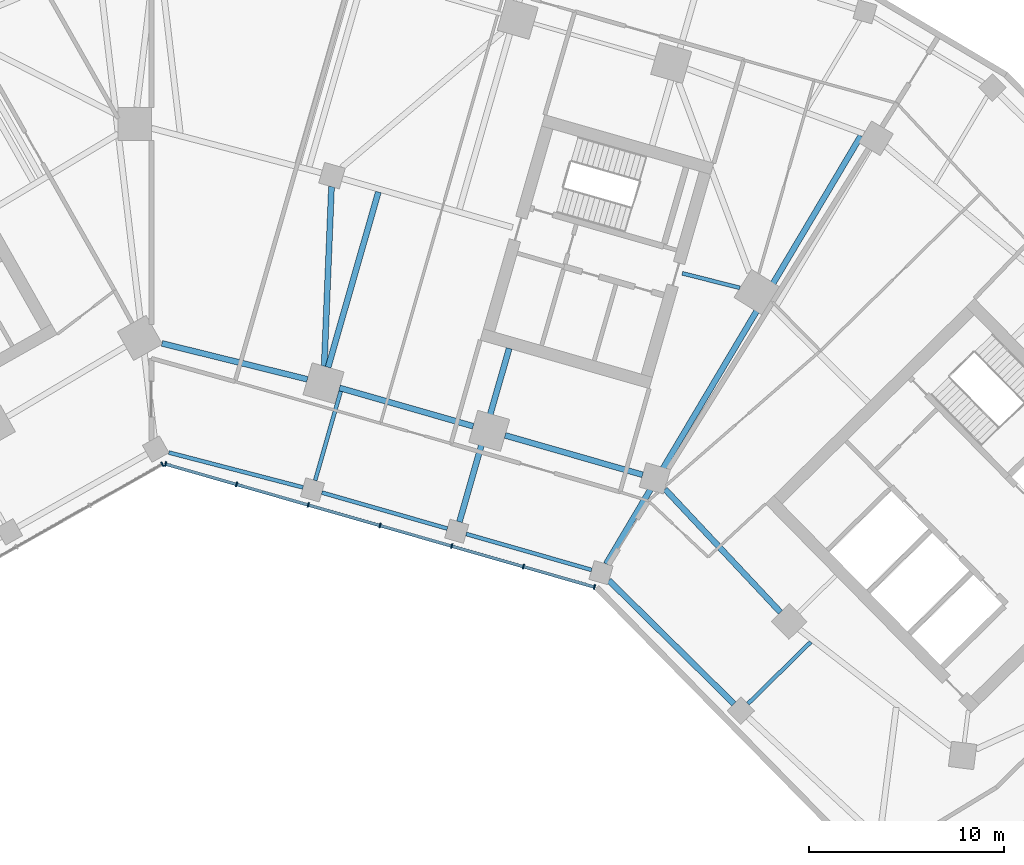
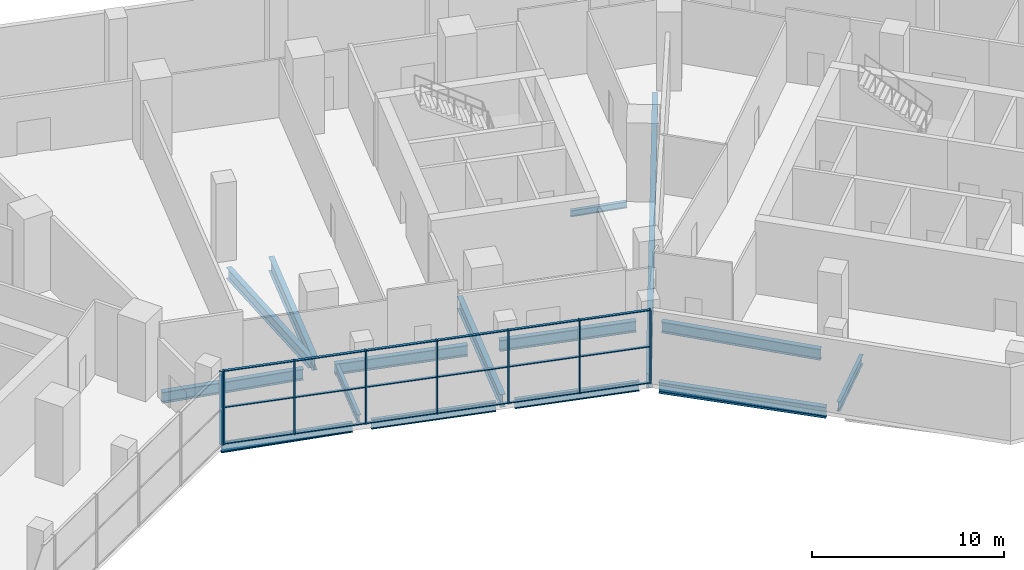
# One storey, part 5 of 15: 26 members, 15 beams, 2 elements without a shape of their own.
"""IFC4 building model written with IfcOpenShell, lengths in metres."""

from ifc_helpers import new_model, si_unit, direction, frame, origin, origin_2d, place, context, subcontext, project, spatial, rectangle, i_section, extrude, material, material_profile, profile_set, type_object, element, aggregate, save


model = new_model("IFC4")

# Units and contexts
model_context = context("Model", 3, precision=1e-05, world=origin(), true_north=direction((0.0, 1.0)))
body_context = subcontext(model_context, "Body", "Model", "MODEL_VIEW")
ifc_project = project(units=[si_unit("LENGTHUNIT", "METRE"), si_unit("AREAUNIT", "SQUARE_METRE"), si_unit("VOLUMEUNIT", "CUBIC_METRE"), si_unit("PLANEANGLEUNIT", "RADIAN"), si_unit("MASSUNIT", "GRAM", prefix="KILO")], contexts=[model_context])

# Site, building, storey
site_placement = place(None, origin())
site = spatial("IfcSite", under=ifc_project, at=site_placement, CompositionType="ELEMENT")
building_placement = place(site_placement, origin())
building = spatial("IfcBuilding", under=site, at=building_placement, Name="Binnacle Exchange Tower", CompositionType="ELEMENT")
storey_placement = place(building_placement, frame((0.0, 0.0, 16.5)))
storey = spatial("IfcBuildingStorey", under=building, at=storey_placement, Name="L03", CompositionType="ELEMENT", Elevation=16.5)

# Curtain wall, member
ifc_material_1 = material(Name="Bronze anodised aluminium frame", Category="aluminium")
curtain_wall_type = type_object("IfcCurtainWallType", Name="External wall - curtain wall podium harbour front", PredefinedType="NOTDEFINED", material=ifc_material_1)
curtain_wall_1_placement = place(storey_placement, origin())
curtain_wall_1 = element("IfcCurtainWall", 1, at=curtain_wall_1_placement, inside=storey, type_object=curtain_wall_type, Name="External wall curtain wall CW3-P06 L03", PredefinedType="NOTDEFINED")
ifc_material_profile_1 = material_profile(ifc_material_1, rectangle(XDim=0.25, YDim=0.070068359375, at=origin_2d()), Name="AL 70x250")
ifc_profile_set_1 = profile_set([ifc_material_profile_1], Name="Bronze anodised aluminium frame")
member_type_1 = type_object("IfcMemberType", Name="CW3 MULLION 70x250", PredefinedType="MULLION", material=ifc_profile_set_1)
member_1_placement = place(storey_placement, frame((0.561279296875, 42.57275390625, 0.0), z_axis=(0.0, 0.0, 1.0), x_axis=(-0.492423763004, 0.870355581144, 0.0)))
member_1 = element("IfcMember", 2, at=member_1_placement, type_object=member_type_1, Name="CW3-P06 mullion 11", PredefinedType="MULLION", context=body_context, shape_type="SweptSolid", body=[
    extrude(rectangle(XDim=0.25, YDim=0.070068359375, at=origin_2d()), origin(), (0.0, 0.0, 1.0), 4.64990234375),
])
aggregate(curtain_wall_1, [member_1])

# Curtain wall, members
curtain_wall_2_placement = place(storey_placement, origin())
curtain_wall_2 = element("IfcCurtainWall", 3, at=curtain_wall_2_placement, inside=storey, type_object=curtain_wall_type, Name="External wall curtain wall CW3-P07 L03", PredefinedType="NOTDEFINED")
member_2_placement = place(storey_placement, frame((0.721435546875, 42.591796875, 0.0), z_axis=(0.0, 0.0, 1.0), x_axis=(0.275636946454, 0.961261813321, 0.0)))
member_2 = element("IfcMember", 4, at=member_2_placement, type_object=member_type_1, Name="CW3-P07 mullion 1", PredefinedType="MULLION", context=body_context, shape_type="SweptSolid", body=[
    extrude(rectangle(XDim=0.25, YDim=0.070068359375, at=origin_2d()), origin(), (0.0, 0.0, 1.0), 4.64990234375),
])
member_3_placement = place(storey_placement, frame((4.3583984375, 41.548828125, 0.0), z_axis=(0.0, 0.0, 1.0), x_axis=(0.275636946454, 0.961261813321, 0.0)))
member_3 = element("IfcMember", 5, at=member_3_placement, type_object=member_type_1, Name="CW3-P07 mullion 2", PredefinedType="MULLION", context=body_context, shape_type="SweptSolid", body=[
    extrude(rectangle(XDim=0.25, YDim=0.070068359375, at=origin_2d()), origin(), (0.0, 0.0, 1.0), 4.64990234375),
])
member_4_placement = place(storey_placement, frame((8.029052734375, 40.496337890625, 0.0), z_axis=(0.0, 0.0, 1.0), x_axis=(0.275636946454, 0.961261813321, 0.0)))
member_4 = element("IfcMember", 6, at=member_4_placement, type_object=member_type_1, Name="CW3-P07 mullion 3", PredefinedType="MULLION", context=body_context, shape_type="SweptSolid", body=[
    extrude(rectangle(XDim=0.25, YDim=0.070068359375, at=origin_2d()), origin(), (0.0, 0.0, 1.0), 4.64990234375),
])
member_5_placement = place(storey_placement, frame((11.699951171875, 39.443603515625, 0.0), z_axis=(0.0, 0.0, 1.0), x_axis=(0.275636946454, 0.961261813321, 0.0)))
member_5 = element("IfcMember", 7, at=member_5_placement, type_object=member_type_1, Name="CW3-P07 mullion 4", PredefinedType="MULLION", context=body_context, shape_type="SweptSolid", body=[
    extrude(rectangle(XDim=0.25, YDim=0.070068359375, at=origin_2d()), origin(), (0.0, 0.0, 1.0), 4.64990234375),
])
member_6_placement = place(storey_placement, frame((15.37060546875, 38.39111328125, 0.0), z_axis=(0.0, 0.0, 1.0), x_axis=(0.275636946454, 0.961261813321, 0.0)))
member_6 = element("IfcMember", 8, at=member_6_placement, type_object=member_type_1, Name="CW3-P07 mullion 5", PredefinedType="MULLION", context=body_context, shape_type="SweptSolid", body=[
    extrude(rectangle(XDim=0.25, YDim=0.070068359375, at=origin_2d()), origin(), (0.0, 0.0, 1.0), 4.64990234375),
])
member_7_placement = place(storey_placement, frame((19.04150390625, 37.338623046875, 0.0), z_axis=(0.0, 0.0, 1.0), x_axis=(0.275636946454, 0.961261813321, 0.0)))
member_7 = element("IfcMember", 9, at=member_7_placement, type_object=member_type_1, Name="CW3-P07 mullion 6", PredefinedType="MULLION", context=body_context, shape_type="SweptSolid", body=[
    extrude(rectangle(XDim=0.25, YDim=0.070068359375, at=origin_2d()), origin(), (0.0, 0.0, 1.0), 4.64990234375),
])
member_8_placement = place(storey_placement, frame((22.678466796875, 36.295654296875, 0.0), z_axis=(0.0, 0.0, 1.0), x_axis=(0.275636946454, 0.961261813321, 0.0)))
member_8 = element("IfcMember", 10, at=member_8_placement, type_object=member_type_1, Name="CW3-P07 mullion 7", PredefinedType="MULLION", context=body_context, shape_type="SweptSolid", body=[
    extrude(rectangle(XDim=0.25, YDim=0.070068359375, at=origin_2d()), origin(), (0.0, 0.0, 1.0), 4.64990234375),
])
ifc_material_profile_2 = material_profile(ifc_material_1, rectangle(XDim=0.159912109375, YDim=0.050048828125, at=origin_2d()), Name="AL 160x50")
ifc_profile_set_2 = profile_set([ifc_material_profile_2], Name="Bronze anodised aluminium frame")
member_type_2 = type_object("IfcMemberType", Name="CW3 TRANSOM 50x160", PredefinedType="USERDEFINED", material=ifc_profile_set_2)
member_9_placement = place(storey_placement, frame((0.7548828125, 42.58203125, 0.02490234375), z_axis=(0.961258055902, -0.275650049815, 0.0), x_axis=(0.275650049815, 0.961258055902, 0.0)))
member_9 = element("IfcMember", 11, at=member_9_placement, type_object=member_type_2, Name="CW3-P07 transom 1.1", ObjectType="TRANSOM", PredefinedType="USERDEFINED", context=body_context, shape_type="SweptSolid", body=[
    extrude(rectangle(XDim=0.159912109375, YDim=0.050048828125, at=origin_2d()), origin(), (0.0, 0.0, 1.0), 3.713623046875),
])
member_10_placement = place(storey_placement, frame((0.7548828125, 42.58203125, 2.324951171875), z_axis=(0.961258055902, -0.275650049815, 0.0), x_axis=(0.275650049815, 0.961258055902, 0.0)))
member_10 = element("IfcMember", 12, at=member_10_placement, type_object=member_type_2, Name="CW3-P07 transom 1.2", ObjectType="TRANSOM", PredefinedType="USERDEFINED", context=body_context, shape_type="SweptSolid", body=[
    extrude(rectangle(XDim=0.159912109375, YDim=0.050048828125, at=origin_2d()), origin(), (0.0, 0.0, 1.0), 3.713623046875),
])
member_11_placement = place(storey_placement, frame((0.7548828125, 42.58203125, 4.625), z_axis=(0.961258055902, -0.275650049815, 0.0), x_axis=(0.275650049815, 0.961258055902, 0.0)))
member_11 = element("IfcMember", 13, at=member_11_placement, type_object=member_type_2, Name="CW3-P07 transom 1.3", ObjectType="TRANSOM", PredefinedType="USERDEFINED", context=body_context, shape_type="SweptSolid", body=[
    extrude(rectangle(XDim=0.159912109375, YDim=0.050048828125, at=origin_2d()), origin(), (0.0, 0.0, 1.0), 3.713623046875),
])
member_12_placement = place(storey_placement, frame((4.39208984375, 41.5390625, 0.02490234375), z_axis=(0.961267940498, -0.275615577519, 0.0), x_axis=(0.275615577519, 0.961267940498, 0.0)))
member_12 = element("IfcMember", 14, at=member_12_placement, type_object=member_type_2, Name="CW3-P07 transom 2.1", ObjectType="TRANSOM", PredefinedType="USERDEFINED", context=body_context, shape_type="SweptSolid", body=[
    extrude(rectangle(XDim=0.159912109375, YDim=0.050048828125, at=origin_2d()), origin(), (0.0, 0.0, 1.0), 3.748779296875),
])
member_13_placement = place(storey_placement, frame((4.39208984375, 41.5390625, 2.324951171875), z_axis=(0.961267940498, -0.275615577519, 0.0), x_axis=(0.275615577519, 0.961267940498, 0.0)))
member_13 = element("IfcMember", 15, at=member_13_placement, type_object=member_type_2, Name="CW3-P07 transom 2.2", ObjectType="TRANSOM", PredefinedType="USERDEFINED", context=body_context, shape_type="SweptSolid", body=[
    extrude(rectangle(XDim=0.159912109375, YDim=0.050048828125, at=origin_2d()), origin(), (0.0, 0.0, 1.0), 3.748779296875),
])
member_14_placement = place(storey_placement, frame((4.39208984375, 41.5390625, 4.625), z_axis=(0.961267940498, -0.275615577519, 0.0), x_axis=(0.275615577519, 0.961267940498, 0.0)))
member_14 = element("IfcMember", 16, at=member_14_placement, type_object=member_type_2, Name="CW3-P07 transom 2.3", ObjectType="TRANSOM", PredefinedType="USERDEFINED", context=body_context, shape_type="SweptSolid", body=[
    extrude(rectangle(XDim=0.159912109375, YDim=0.050048828125, at=origin_2d()), origin(), (0.0, 0.0, 1.0), 3.748779296875),
])
member_15_placement = place(storey_placement, frame((8.062744140625, 40.486572265625, 0.02490234375), z_axis=(0.961267940498, -0.275615577519, 0.0), x_axis=(0.275615577519, 0.961267940498, 0.0)))
member_15 = element("IfcMember", 17, at=member_15_placement, type_object=member_type_2, Name="CW3-P07 transom 3.1", ObjectType="TRANSOM", PredefinedType="USERDEFINED", context=body_context, shape_type="SweptSolid", body=[
    extrude(rectangle(XDim=0.159912109375, YDim=0.050048828125, at=origin_2d()), origin(), (0.0, 0.0, 1.0), 3.748779296875),
])
member_16_placement = place(storey_placement, frame((8.062744140625, 40.486572265625, 2.324951171875), z_axis=(0.961267940498, -0.275615577519, 0.0), x_axis=(0.275615577519, 0.961267940498, 0.0)))
member_16 = element("IfcMember", 18, at=member_16_placement, type_object=member_type_2, Name="CW3-P07 transom 3.2", ObjectType="TRANSOM", PredefinedType="USERDEFINED", context=body_context, shape_type="SweptSolid", body=[
    extrude(rectangle(XDim=0.159912109375, YDim=0.050048828125, at=origin_2d()), origin(), (0.0, 0.0, 1.0), 3.748779296875),
])
member_17_placement = place(storey_placement, frame((8.062744140625, 40.486572265625, 4.625), z_axis=(0.961267940498, -0.275615577519, 0.0), x_axis=(0.275615577519, 0.961267940498, 0.0)))
member_17 = element("IfcMember", 19, at=member_17_placement, type_object=member_type_2, Name="CW3-P07 transom 3.3", ObjectType="TRANSOM", PredefinedType="USERDEFINED", context=body_context, shape_type="SweptSolid", body=[
    extrude(rectangle(XDim=0.159912109375, YDim=0.050048828125, at=origin_2d()), origin(), (0.0, 0.0, 1.0), 3.748779296875),
])
member_18_placement = place(storey_placement, frame((11.733642578125, 39.43408203125, 0.02490234375), z_axis=(0.961245734461, -0.275693014023, 0.0), x_axis=(0.275693014023, 0.961245734461, 0.0)))
member_18 = element("IfcMember", 20, at=member_18_placement, type_object=member_type_2, Name="CW3-P07 transom 4.1", ObjectType="TRANSOM", PredefinedType="USERDEFINED", context=body_context, shape_type="SweptSolid", body=[
    extrude(rectangle(XDim=0.159912109375, YDim=0.050048828125, at=origin_2d()), origin(), (0.0, 0.0, 1.0), 3.74853515625),
])
member_19_placement = place(storey_placement, frame((11.733642578125, 39.43408203125, 2.324951171875), z_axis=(0.961245734461, -0.275693014023, 0.0), x_axis=(0.275693014023, 0.961245734461, 0.0)))
member_19 = element("IfcMember", 21, at=member_19_placement, type_object=member_type_2, Name="CW3-P07 transom 4.2", ObjectType="TRANSOM", PredefinedType="USERDEFINED", context=body_context, shape_type="SweptSolid", body=[
    extrude(rectangle(XDim=0.159912109375, YDim=0.050048828125, at=origin_2d()), origin(), (0.0, 0.0, 1.0), 3.74853515625),
])
member_20_placement = place(storey_placement, frame((11.733642578125, 39.43408203125, 4.625), z_axis=(0.961245734461, -0.275693014023, 0.0), x_axis=(0.275693014023, 0.961245734461, 0.0)))
member_20 = element("IfcMember", 22, at=member_20_placement, type_object=member_type_2, Name="CW3-P07 transom 4.3", ObjectType="TRANSOM", PredefinedType="USERDEFINED", context=body_context, shape_type="SweptSolid", body=[
    extrude(rectangle(XDim=0.159912109375, YDim=0.050048828125, at=origin_2d()), origin(), (0.0, 0.0, 1.0), 3.74853515625),
])
member_21_placement = place(storey_placement, frame((15.404296875, 38.38134765625, 0.02490234375), z_axis=(0.961267940498, -0.275615577519, 0.0), x_axis=(0.275615577519, 0.961267940498, 0.0)))
member_21 = element("IfcMember", 23, at=member_21_placement, type_object=member_type_2, Name="CW3-P07 transom 5.1", ObjectType="TRANSOM", PredefinedType="USERDEFINED", context=body_context, shape_type="SweptSolid", body=[
    extrude(rectangle(XDim=0.159912109375, YDim=0.050048828125, at=origin_2d()), origin(), (0.0, 0.0, 1.0), 3.748779296875),
])
member_22_placement = place(storey_placement, frame((15.404296875, 38.38134765625, 2.324951171875), z_axis=(0.961267940498, -0.275615577519, 0.0), x_axis=(0.275615577519, 0.961267940498, 0.0)))
member_22 = element("IfcMember", 24, at=member_22_placement, type_object=member_type_2, Name="CW3-P07 transom 5.2", ObjectType="TRANSOM", PredefinedType="USERDEFINED", context=body_context, shape_type="SweptSolid", body=[
    extrude(rectangle(XDim=0.159912109375, YDim=0.050048828125, at=origin_2d()), origin(), (0.0, 0.0, 1.0), 3.748779296875),
])
member_23_placement = place(storey_placement, frame((15.404296875, 38.38134765625, 4.625), z_axis=(0.961267940498, -0.275615577519, 0.0), x_axis=(0.275615577519, 0.961267940498, 0.0)))
member_23 = element("IfcMember", 25, at=member_23_placement, type_object=member_type_2, Name="CW3-P07 transom 5.3", ObjectType="TRANSOM", PredefinedType="USERDEFINED", context=body_context, shape_type="SweptSolid", body=[
    extrude(rectangle(XDim=0.159912109375, YDim=0.050048828125, at=origin_2d()), origin(), (0.0, 0.0, 1.0), 3.748779296875),
])
member_24_placement = place(storey_placement, frame((19.074951171875, 37.328857421875, 0.02490234375), z_axis=(0.961258055902, -0.275650049815, 0.0), x_axis=(0.275650049815, 0.961258055902, 0.0)))
member_24 = element("IfcMember", 26, at=member_24_placement, type_object=member_type_2, Name="CW3-P07 transom 6.1", ObjectType="TRANSOM", PredefinedType="USERDEFINED", context=body_context, shape_type="SweptSolid", body=[
    extrude(rectangle(XDim=0.159912109375, YDim=0.050048828125, at=origin_2d()), origin(), (0.0, 0.0, 1.0), 3.713623046875),
])
member_25_placement = place(storey_placement, frame((19.074951171875, 37.328857421875, 2.324951171875), z_axis=(0.961258055902, -0.275650049815, 0.0), x_axis=(0.275650049815, 0.961258055902, 0.0)))
member_25 = element("IfcMember", 27, at=member_25_placement, type_object=member_type_2, Name="CW3-P07 transom 6.2", ObjectType="TRANSOM", PredefinedType="USERDEFINED", context=body_context, shape_type="SweptSolid", body=[
    extrude(rectangle(XDim=0.159912109375, YDim=0.050048828125, at=origin_2d()), origin(), (0.0, 0.0, 1.0), 3.713623046875),
])
member_26_placement = place(storey_placement, frame((19.074951171875, 37.328857421875, 4.625), z_axis=(0.961258055902, -0.275650049815, 0.0), x_axis=(0.275650049815, 0.961258055902, 0.0)))
member_26 = element("IfcMember", 28, at=member_26_placement, type_object=member_type_2, Name="CW3-P07 transom 6.3", ObjectType="TRANSOM", PredefinedType="USERDEFINED", context=body_context, shape_type="SweptSolid", body=[
    extrude(rectangle(XDim=0.159912109375, YDim=0.050048828125, at=origin_2d()), origin(), (0.0, 0.0, 1.0), 3.713623046875),
])
aggregate(curtain_wall_2, [member_2, member_3, member_4, member_5, member_6, member_7, member_8, member_9, member_10, member_11, member_12, member_13, member_14, member_15, member_16, member_17, member_18, member_19, member_20, member_21, member_22, member_23, member_24, member_25, member_26])

# Beams
ifc_material_2 = material(Name="Steel S355 (SHN355)", Category="steel")
ifc_material_profile_3 = material_profile(ifc_material_2, i_section(OverallWidth=0.200927734375, OverallDepth=0.60595703125, WebThickness=0.011962890625, FlangeThickness=0.02001953125, FilletRadius=0.02197265625, at=origin_2d()), Name="H 606x201x12x20")
ifc_profile_set_3 = profile_set([ifc_material_profile_3], Name="Steel S355 (SHN355)")
beam_type_1 = type_object("IfcBeamType", Name="Edge girder H 606x201x12x20 Steel S355 (SHN355)", PredefinedType="SPANDREL", material=ifc_profile_set_3)
beam_1_placement = place(storey_placement, frame((15.1474609375, 39.287353515625, -0.653076171875), z_axis=(-0.961262967186, 0.275632922412, 0.0), x_axis=(-0.275632922412, -0.961262967186, 0.0)))
element("IfcBeam", 29, at=beam_1_placement, inside=storey, type_object=beam_type_1, Name="S:BM:edge:L03:051", PredefinedType="SPANDREL", context=body_context, shape_type="SweptSolid", body=[
    extrude(i_section(OverallWidth=0.200927734375, OverallDepth=0.60595703125, WebThickness=0.011962890625, FlangeThickness=0.02001953125, FilletRadius=0.02197265625, at=origin_2d()), origin(), (0.0, 0.0, 1.0), 6.682861328125),
])
beam_2_placement = place(storey_placement, frame((22.532470703125, 37.169677734375, -0.653076171875), z_axis=(-0.961260191586, 0.275642602064, 0.0), x_axis=(-0.275642602064, -0.961260191586, 0.0)))
element("IfcBeam", 30, at=beam_2_placement, inside=storey, type_object=beam_type_1, Name="S:BM:edge:L03:055", PredefinedType="SPANDREL", context=body_context, shape_type="SweptSolid", body=[
    extrude(i_section(OverallWidth=0.200927734375, OverallDepth=0.60595703125, WebThickness=0.011962890625, FlangeThickness=0.02001953125, FilletRadius=0.02197265625, at=origin_2d()), origin(), (0.0, 0.0, 1.0), 6.6826171875),
])
ifc_material_profile_4 = material_profile(ifc_material_2, i_section(OverallWidth=0.201904296875, OverallDepth=0.612060546875, WebThickness=0.012939453125, FlangeThickness=0.02294921875, FilletRadius=0.02197265625, at=origin_2d()), Name="H 612x202x13x23")
ifc_profile_set_4 = profile_set([ifc_material_profile_4], Name="Steel S355 (SHN355)")
beam_type_2 = type_object("IfcBeamType", Name="Edge girder H 612x202x13x23 Steel S355 (SHN355)", PredefinedType="SPANDREL", material=ifc_profile_set_4)
beam_3_placement = place(storey_placement, frame((7.7587890625, 41.393310546875, -0.656005859375), z_axis=(-0.967768014177, 0.251843345627, 0.0), x_axis=(-0.251843345627, -0.967768014177, 0.0)))
element("IfcBeam", 31, at=beam_3_placement, inside=storey, type_object=beam_type_2, Name="S:BM:edge:L03:047", PredefinedType="SPANDREL", context=body_context, shape_type="SweptSolid", body=[
    extrude(i_section(OverallWidth=0.201904296875, OverallDepth=0.612060546875, WebThickness=0.012939453125, FlangeThickness=0.02294921875, FilletRadius=0.02197265625, at=origin_2d()), origin(), (0.0, 0.0, 1.0), 7.09521484375),
])
ifc_material_profile_5 = material_profile(ifc_material_2, i_section(OverallWidth=0.300048828125, OverallDepth=0.699951171875, WebThickness=0.012939453125, FlangeThickness=0.02392578125, FilletRadius=0.028076171875, at=origin_2d()), Name="H 700x300x13x24")
ifc_profile_set_5 = profile_set([ifc_material_profile_5], Name="Steel S355 (SHN355)")
beam_type_3 = type_object("IfcBeamType", Name="Edge girder H 700x300x13x24 Steel S355 (SHN355)", PredefinedType="SPANDREL", material=ifc_profile_set_5)
beam_4_placement = place(storey_placement, frame((0.54443359375, 48.763916015625, -0.699951171875), z_axis=(0.970818997342, -0.239813415805, 0.0), x_axis=(0.239813415805, 0.970818997342, 0.0)))
element("IfcBeam", 32, at=beam_4_placement, inside=storey, type_object=beam_type_3, Name="S:BM:edge:L03:045", PredefinedType="SPANDREL", context=body_context, shape_type="SweptSolid", body=[
    extrude(i_section(OverallWidth=0.300048828125, OverallDepth=0.699951171875, WebThickness=0.012939453125, FlangeThickness=0.02392578125, FilletRadius=0.028076171875, at=origin_2d()), origin(), (0.0, 0.0, 1.0), 7.662841796875),
])
beam_5_placement = place(storey_placement, frame((9.626708984375, 46.488037109375, -0.699951171875), z_axis=(0.961260850036, -0.275640305812, 0.0), x_axis=(0.275640305812, 0.961260850036, 0.0)))
element("IfcBeam", 33, at=beam_5_placement, inside=storey, type_object=beam_type_3, Name="S:BM:edge:L03:048", PredefinedType="SPANDREL", context=body_context, shape_type="SweptSolid", body=[
    extrude(i_section(OverallWidth=0.300048828125, OverallDepth=0.699951171875, WebThickness=0.012939453125, FlangeThickness=0.02392578125, FilletRadius=0.028076171875, at=origin_2d()), origin(), (0.0, 0.0, 1.0), 7.120361328125),
])
beam_6_placement = place(storey_placement, frame((18.105224609375, 44.056884765625, -0.699951171875), z_axis=(0.96126047873, -0.275641600691, 0.0), x_axis=(0.275641600691, 0.96126047873, 0.0)))
element("IfcBeam", 34, at=beam_6_placement, inside=storey, type_object=beam_type_3, Name="S:BM:edge:L03:053", PredefinedType="SPANDREL", context=body_context, shape_type="SweptSolid", body=[
    extrude(i_section(OverallWidth=0.300048828125, OverallDepth=0.699951171875, WebThickness=0.012939453125, FlangeThickness=0.02392578125, FilletRadius=0.028076171875, at=origin_2d()), origin(), (0.0, 0.0, 1.0), 7.320556640625),
])
beam_7_placement = place(storey_placement, frame((26.284912109375, 41.3076171875, -0.699951171875), z_axis=(0.684056711164, -0.729428828544, 0.0), x_axis=(0.729428828544, 0.684056711164, 0.0)))
element("IfcBeam", 35, at=beam_7_placement, inside=storey, type_object=beam_type_3, Name="S:BM:edge:L03:057", PredefinedType="SPANDREL", context=body_context, shape_type="SweptSolid", body=[
    extrude(i_section(OverallWidth=0.300048828125, OverallDepth=0.699951171875, WebThickness=0.012939453125, FlangeThickness=0.02392578125, FilletRadius=0.028076171875, at=origin_2d()), origin(), (0.0, 0.0, 1.0), 8.6416015625),
])
beam_8_placement = place(storey_placement, frame((29.81640625, 30.31689453125, -0.699951171875), z_axis=(-0.711708607818, 0.702474809198, 0.0), x_axis=(-0.702474809198, -0.711708607818, 0.0)))
element("IfcBeam", 36, at=beam_8_placement, inside=storey, type_object=beam_type_3, Name="S:BM:edge:L03:059", PredefinedType="SPANDREL", context=body_context, shape_type="SweptSolid", body=[
    extrude(i_section(OverallWidth=0.300048828125, OverallDepth=0.699951171875, WebThickness=0.012939453125, FlangeThickness=0.02392578125, FilletRadius=0.028076171875, at=origin_2d()), origin(), (0.0, 0.0, 1.0), 8.989501953125),
])
ifc_material_profile_6 = material_profile(ifc_material_2, i_section(OverallWidth=0.199951171875, OverallDepth=0.60009765625, WebThickness=0.010986328125, FlangeThickness=0.01708984375, FilletRadius=0.02197265625, at=origin_2d()), Name="H 600x200x11x17")
ifc_profile_set_6 = profile_set([ifc_material_profile_6], Name="Steel S355 (SHN355)")
beam_type_4 = type_object("IfcBeamType", Name="Floor beam H 600x200x11x17 Steel S355 (SHN355)", PredefinedType="BEAM", material=ifc_profile_set_6)
beam_9_placement = place(storey_placement, frame((8.380615234375, 41.747802734375, -0.64990234375), z_axis=(0.275651024235, 0.961257776477, 0.0), x_axis=(-0.961257776477, 0.275651024235, 0.0)))
element("IfcBeam", 37, at=beam_9_placement, inside=storey, type_object=beam_type_4, Name="S:BM:cross:L03:105", PredefinedType="BEAM", context=body_context, shape_type="SweptSolid", body=[
    extrude(i_section(OverallWidth=0.199951171875, OverallDepth=0.60009765625, WebThickness=0.010986328125, FlangeThickness=0.01708984375, FilletRadius=0.02197265625, at=origin_2d()), origin(), (0.0, 0.0, 1.0), 4.75),
])
beam_10_placement = place(storey_placement, frame((30.529052734375, 30.316162109375, -0.64990234375), z_axis=(0.713237882923, 0.700922051561, 0.0), x_axis=(-0.700922051561, 0.713237882923, 0.0)))
element("IfcBeam", 38, at=beam_10_placement, inside=storey, type_object=beam_type_4, Name="S:BM:cross:L03:113", PredefinedType="BEAM", context=body_context, shape_type="SweptSolid", body=[
    extrude(i_section(OverallWidth=0.199951171875, OverallDepth=0.60009765625, WebThickness=0.010986328125, FlangeThickness=0.01708984375, FilletRadius=0.02197265625, at=origin_2d()), origin(), (0.0, 0.0, 1.0), 4.519775390625),
])
ifc_material_profile_7 = material_profile(ifc_material_2, i_section(OverallWidth=0.302001953125, OverallDepth=0.80810546875, WebThickness=0.01611328125, FlangeThickness=0.030029296875, FilletRadius=0.028076171875, at=origin_2d()), Name="H 808x302x16x30")
ifc_profile_set_7 = profile_set([ifc_material_profile_7], Name="Steel S355 (SHN355)")
beam_type_5 = type_object("IfcBeamType", Name="Floor beam H 808x302x16x30 Steel S355 (SHN355)", PredefinedType="BEAM", material=ifc_profile_set_7)
beam_11_placement = place(storey_placement, frame((15.765869140625, 39.630126953125, -0.75390625), z_axis=(0.2756218268, 0.961266148677, 0.0), x_axis=(-0.961266148677, 0.2756218268, 0.0)))
element("IfcBeam", 39, at=beam_11_placement, inside=storey, type_object=beam_type_5, Name="S:BM:cross:L03:109", PredefinedType="BEAM", context=body_context, shape_type="SweptSolid", body=[
    extrude(i_section(OverallWidth=0.302001953125, OverallDepth=0.80810546875, WebThickness=0.01611328125, FlangeThickness=0.030029296875, FilletRadius=0.028076171875, at=origin_2d()), origin(), (0.0, 0.0, 1.0), 9.235107421875),
])
ifc_material_profile_8 = material_profile(ifc_material_2, i_section(OverallWidth=0.302001953125, OverallDepth=0.912109375, WebThickness=0.01806640625, FlangeThickness=0.033935546875, FilletRadius=0.028076171875, at=origin_2d()), Name="H 912x302x18x34")
ifc_profile_set_8 = profile_set([ifc_material_profile_8], Name="Steel S355 (SHN355)")
beam_type_6 = type_object("IfcBeamType", Name="Floor beam H 912x302x18x34 Steel S355 (SHN355)", PredefinedType="BEAM", material=ifc_profile_set_8)
beam_12_placement = place(storey_placement, frame((9.043701171875, 47.539306640625, -0.805908203125), z_axis=(0.275646698205, 0.961259017003, 0.0), x_axis=(-0.961259017003, 0.275646698205, 0.0)))
element("IfcBeam", 40, at=beam_12_placement, inside=storey, type_object=beam_type_6, Name="S:BM:cross:L03:106", PredefinedType="BEAM", context=body_context, shape_type="SweptSolid", body=[
    extrude(i_section(OverallWidth=0.302001953125, OverallDepth=0.912109375, WebThickness=0.01806640625, FlangeThickness=0.033935546875, FilletRadius=0.028076171875, at=origin_2d()), origin(), (0.0, 0.0, 1.0), 9.335205078125),
])
ifc_material_profile_9 = material_profile(ifc_material_2, i_section(OverallWidth=0.302978515625, OverallDepth=0.91796875, WebThickness=0.01904296875, FlangeThickness=0.037109375, FilletRadius=0.028076171875, at=origin_2d()), Name="H 918x303x19x37")
ifc_profile_set_9 = profile_set([ifc_material_profile_9], Name="Steel S355 (SHN355)")
beam_type_7 = type_object("IfcBeamType", Name="Floor beam H 918x303x19x37 Steel S355 (SHN355)", PredefinedType="BEAM", material=ifc_profile_set_9)
beam_13_placement = place(storey_placement, frame((23.277587890625, 37.476318359375, -0.80908203125), z_axis=(0.511288746337, 0.859408993361, 0.0), x_axis=(-0.859408993361, 0.511288746337, 0.0)))
element("IfcBeam", 41, at=beam_13_placement, inside=storey, type_object=beam_type_7, Name="S:BM:cross:L03:111", PredefinedType="BEAM", context=body_context, shape_type="SweptSolid", body=[
    extrude(i_section(OverallWidth=0.302978515625, OverallDepth=0.91796875, WebThickness=0.01904296875, FlangeThickness=0.037109375, FilletRadius=0.028076171875, at=origin_2d()), origin(), (0.0, 0.0, 1.0), 25.49755859375),
])
ifc_material_profile_10 = material_profile(ifc_material_2, i_section(OverallWidth=0.199951171875, OverallDepth=0.39990234375, WebThickness=0.008056640625, FlangeThickness=0.012939453125, FilletRadius=0.01611328125, at=origin_2d()), Name="H 400x200x8x13")
ifc_profile_set_10 = profile_set([ifc_material_profile_10], Name="Steel S355 (SHN355)")
beam_type_8 = type_object("IfcBeamType", Name="Spine girder H 400x200x8x13 Steel S355 (SHN355)", PredefinedType="BEAM", material=ifc_profile_set_10)
beam_14_placement = place(storey_placement, frame((27.17138671875, 52.35400390625, -0.550048828125), z_axis=(0.969359627701, -0.245645908136, 0.0), x_axis=(0.245645908136, 0.969359627701, 0.0)))
element("IfcBeam", 42, at=beam_14_placement, inside=storey, type_object=beam_type_8, Name="S:BM:spine:L03:010", PredefinedType="BEAM", context=body_context, shape_type="SweptSolid", body=[
    extrude(i_section(OverallWidth=0.199951171875, OverallDepth=0.39990234375, WebThickness=0.008056640625, FlangeThickness=0.012939453125, FilletRadius=0.01611328125, at=origin_2d()), origin(), (0.0, 0.0, 1.0), 3.046142578125),
])
ifc_material_profile_11 = material_profile(ifc_material_2, i_section(OverallWidth=0.302001953125, OverallDepth=0.7080078125, WebThickness=0.014892578125, FlangeThickness=0.028076171875, FilletRadius=0.028076171875, at=origin_2d()), Name="H 708x302x15x28")
ifc_profile_set_11 = profile_set([ifc_material_profile_11], Name="Steel S355 (SHN355)")
beam_type_9 = type_object("IfcBeamType", Name="Spine girder H 708x302x15x28 Steel S355 (SHN355)", PredefinedType="BEAM", material=ifc_profile_set_11)
beam_15_placement = place(storey_placement, frame((9.218017578125, 56.78466796875, -0.7041015625), z_axis=(-0.040567083206, -0.999176817065, 0.0), x_axis=(0.999176817065, -0.040567083206, 0.0)))
element("IfcBeam", 43, at=beam_15_placement, inside=storey, type_object=beam_type_9, Name="S:BM:spine:L03:007", PredefinedType="BEAM", context=body_context, shape_type="SweptSolid", body=[
    extrude(i_section(OverallWidth=0.302001953125, OverallDepth=0.7080078125, WebThickness=0.014892578125, FlangeThickness=0.028076171875, FilletRadius=0.028076171875, at=origin_2d()), origin(), (0.0, 0.0, 1.0), 9.19580078125),
])

save(model, "model.ifc")
